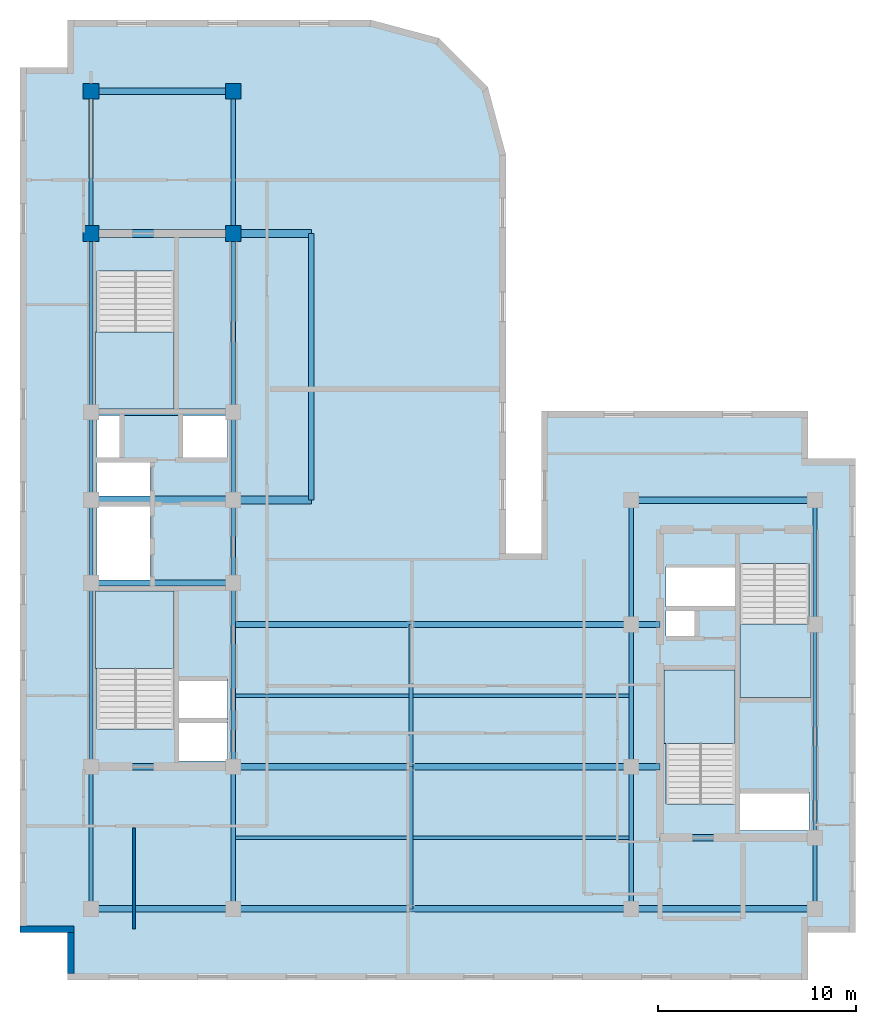
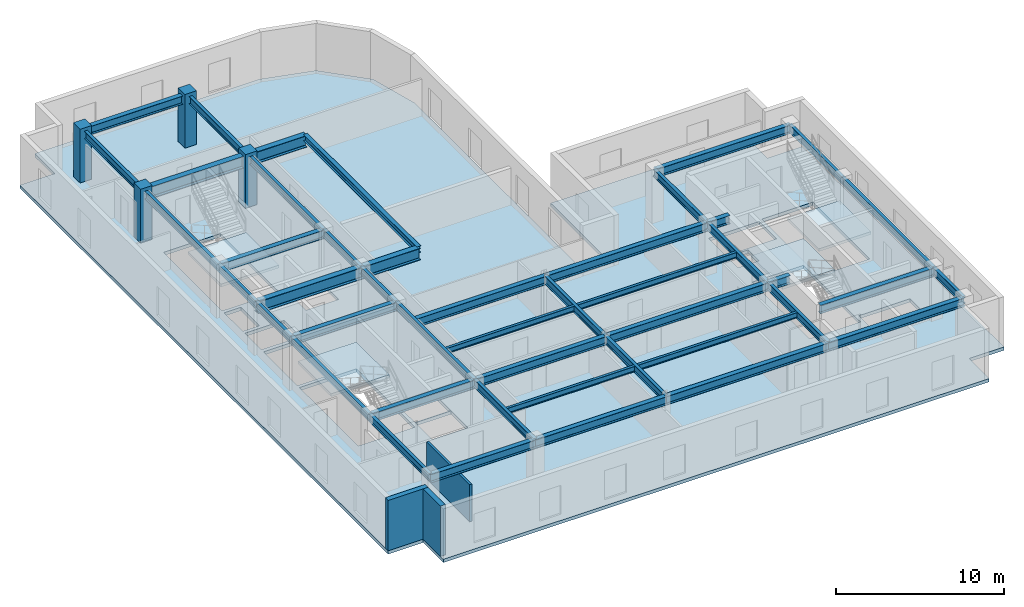
# One storey, part 2 of 9: 43 beams, 5 slabs, 4 columns, 3 walls, 4 elements without a shape of their own.
"""IFC4 building model written with IfcOpenShell, lengths in metres."""

from ifc_helpers import new_model, entity, si_unit, converted_unit, direction, frame, origin_with_axes, origin_2d_with_axis, place, context, subcontext, project, spatial, polyline, rectangle, i_section, outline, extrude, material, layer, layer_set, material_profile, profile_set, type_object, element, aggregate, save


model = new_model("IFC4")

# Units and contexts
model_context = context("Model", 3, precision=1e-05, world=origin_with_axes(), true_north=direction((0.0, 1.0)))
body_context = subcontext(model_context, "Body", "Model", "MODEL_VIEW")
ifc_project = project(units=[si_unit("LENGTHUNIT", "METRE"), si_unit("AREAUNIT", "SQUARE_METRE"), si_unit("VOLUMEUNIT", "CUBIC_METRE"), converted_unit("PLANEANGLEUNIT", "DEGREE", entity("IfcPlaneAngleMeasure", 0.017453292519943295), si_unit("PLANEANGLEUNIT", "RADIAN"), dimensions=[0, 0, 0, 0, 0, 0, 0]), si_unit("MASSUNIT", "GRAM", prefix="KILO"), si_unit("THERMODYNAMICTEMPERATUREUNIT", "KELVIN")], contexts=[model_context])

# Site, building, storey
site_placement = place(None, origin_with_axes())
site = spatial("IfcSite", under=ifc_project, at=site_placement, CompositionType="ELEMENT")
building_placement = place(site_placement, origin_with_axes())
building = spatial("IfcBuilding", under=site, at=building_placement, Name="Varnlund Millrace Tower", CompositionType="ELEMENT")
storey_placement = place(building_placement, frame((0.0, 0.0, 260.7), z_axis=(0.0, 0.0, 1.0), x_axis=(1.0, 0.0, 0.0)))
storey = spatial("IfcBuildingStorey", under=building, at=storey_placement, Name="L64", CompositionType="ELEMENT", Elevation=260.7)

# Columns
ifc_material_1 = material(Name="Concrete C60/75", Category="concrete")
ifc_material_profile_1 = material_profile(ifc_material_1, rectangle(XDim=0.8, YDim=0.8, at=origin_2d_with_axis()), Name="Concrete C60/75")
ifc_profile_set_1 = profile_set([ifc_material_profile_1], Name="Concrete C60/75")
column_type = type_object("IfcColumnType", Name="Type-Col-RC800-C60", PredefinedType="COLUMN", material=ifc_profile_set_1)
for number, where, z_axis, x_axis, name in (
    (1, (11.4, 37.8, 0.0), (0.0, 0.0, 1.0), (1.0, 0.0, 0.0), "Type-Col-RC800-C60"),
    (2, (11.4, 45.0, 0.0), (0.0, 0.0, 1.0), (1.0, 0.0, 0.0), "Type-Col-RC800-C60"),
    (3, (18.6, 37.8, 0.0), (0.0, 0.0, 1.0), (1.0, 0.0, 0.0), "Type-Col-RC800-C60"),
    (4, (18.6, 45.0, 0.0), (0.0, 0.0, 1.0), (1.0, 0.0, 0.0), "Type-Col-RC800-C60"),
):
    element("IfcColumn", number, at=place(storey_placement, frame(where, z_axis=z_axis, x_axis=x_axis)), inside=storey, type_object=column_type, Name=name, PredefinedType="COLUMN", context=body_context, shape_type="SweptSolid", body=[
        extrude(rectangle(XDim=0.8, YDim=0.8, at=origin_2d_with_axis()), origin_with_axes(), (0.0, 0.0, 1.0), 3.9),
    ])

# Beams
ifc_material_2 = material(Name="Steel ASTM A992 Grade 50", Category="steel")
ifc_material_profile_2 = material_profile(ifc_material_2, i_section(OverallWidth=0.28, OverallDepth=0.463, WebThickness=0.0108, FlangeThickness=0.0173, FilletRadius=0.015, at=origin_2d_with_axis()), Name="Steel ASTM A992 Grade 50")
ifc_profile_set_2 = profile_set([ifc_material_profile_2], Name="Steel ASTM A992 Grade 50")
beam_type_1 = type_object("IfcBeamType", Name="Type-Beam-W18X76", PredefinedType="BEAM", material=ifc_profile_set_2)
beam_1_placement = place(storey_placement, frame((22.55, 24.3, 3.4285), z_axis=(0.0, 1.0, 0.0), x_axis=(-1.0, 0.0, 0.0)))
element("IfcBeam", 5, at=beam_1_placement, inside=storey, type_object=beam_type_1, Name="Type-Beam-W18X76", PredefinedType="BEAM", context=body_context, shape_type="SweptSolid", body=[
    extrude(i_section(OverallWidth=0.28, OverallDepth=0.463, WebThickness=0.0108, FlangeThickness=0.0173, FilletRadius=0.015, at=origin_2d_with_axis()), origin_with_axes(), (0.0, 0.0, 1.0), 13.5),
])
ifc_material_profile_3 = material_profile(ifc_material_2, i_section(OverallWidth=0.214, OverallDepth=0.549, WebThickness=0.0147, FlangeThickness=0.0236, FilletRadius=0.015, at=origin_2d_with_axis()), Name="Steel ASTM A992 Grade 50")
ifc_profile_set_3 = profile_set([ifc_material_profile_3], Name="Steel ASTM A992 Grade 50")
beam_type_2 = type_object("IfcBeamType", Name="Type-Beam-W21X93", PredefinedType="BEAM", material=ifc_profile_set_3)
beam_2_placement = place(storey_placement, frame((11.4, 3.6, 3.3855), z_axis=(0.0, 1.0, 0.0), x_axis=(-1.0, 0.0, 0.0)))
element("IfcBeam", 6, at=beam_2_placement, inside=storey, type_object=beam_type_2, Name="Type-Beam-W21X93", PredefinedType="BEAM", context=body_context, shape_type="SweptSolid", body=[
    extrude(i_section(OverallWidth=0.214, OverallDepth=0.549, WebThickness=0.0147, FlangeThickness=0.0236, FilletRadius=0.015, at=origin_2d_with_axis()), origin_with_axes(), (0.0, 0.0, 1.0), 7.2),
])
beam_3_placement = place(storey_placement, frame((11.4, 10.8, 3.3855), z_axis=(0.0, 1.0, 0.0), x_axis=(-1.0, 0.0, 0.0)))
element("IfcBeam", 7, at=beam_3_placement, inside=storey, type_object=beam_type_2, Name="Type-Beam-W21X93", PredefinedType="BEAM", context=body_context, shape_type="SweptSolid", body=[
    extrude(i_section(OverallWidth=0.214, OverallDepth=0.549, WebThickness=0.0147, FlangeThickness=0.0236, FilletRadius=0.015, at=origin_2d_with_axis()), origin_with_axes(), (0.0, 0.0, 1.0), 9.3),
])
beam_4_placement = place(storey_placement, frame((11.4, 20.1, 3.3855), z_axis=(0.0, 1.0, 0.0), x_axis=(-1.0, 0.0, 0.0)))
element("IfcBeam", 8, at=beam_4_placement, inside=storey, type_object=beam_type_2, Name="Type-Beam-W21X93", PredefinedType="BEAM", context=body_context, shape_type="SweptSolid", body=[
    extrude(i_section(OverallWidth=0.214, OverallDepth=0.549, WebThickness=0.0147, FlangeThickness=0.0236, FilletRadius=0.015, at=origin_2d_with_axis()), origin_with_axes(), (0.0, 0.0, 1.0), 4.2),
])
beam_5_placement = place(storey_placement, frame((11.4, 24.3, 3.3855), z_axis=(0.0, 1.0, 0.0), x_axis=(-1.0, 0.0, 0.0)))
element("IfcBeam", 9, at=beam_5_placement, inside=storey, type_object=beam_type_2, Name="Type-Beam-W21X93", PredefinedType="BEAM", context=body_context, shape_type="SweptSolid", body=[
    extrude(i_section(OverallWidth=0.214, OverallDepth=0.549, WebThickness=0.0147, FlangeThickness=0.0236, FilletRadius=0.015, at=origin_2d_with_axis()), origin_with_axes(), (0.0, 0.0, 1.0), 4.45),
])
beam_6_placement = place(storey_placement, frame((11.4, 28.75, 3.3855), z_axis=(0.0, 1.0, 0.0), x_axis=(-1.0, 0.0, 0.0)))
element("IfcBeam", 10, at=beam_6_placement, inside=storey, type_object=beam_type_2, Name="Type-Beam-W21X93", PredefinedType="BEAM", context=body_context, shape_type="SweptSolid", body=[
    extrude(i_section(OverallWidth=0.214, OverallDepth=0.549, WebThickness=0.0147, FlangeThickness=0.0236, FilletRadius=0.015, at=origin_2d_with_axis()), origin_with_axes(), (0.0, 0.0, 1.0), 9.05),
])
for number, where, z_axis, x_axis, name in (
    (11, (11.4, 37.8, 3.3855), (0.0, 1.0, 0.0), (-1.0, 0.0, 0.0), "Type-Beam-W21X93"),
    (12, (18.6, 3.6, 3.3855), (0.0, 1.0, 0.0), (-1.0, 0.0, 0.0), "Type-Beam-W21X93"),
):
    element("IfcBeam", number, at=place(storey_placement, frame(where, z_axis=z_axis, x_axis=x_axis)), inside=storey, type_object=beam_type_2, Name=name, PredefinedType="BEAM", context=body_context, shape_type="SweptSolid", body=[
        extrude(i_section(OverallWidth=0.214, OverallDepth=0.549, WebThickness=0.0147, FlangeThickness=0.0236, FilletRadius=0.015, at=origin_2d_with_axis()), origin_with_axes(), (0.0, 0.0, 1.0), 7.2),
    ])
beam_7_placement = place(storey_placement, frame((18.6, 10.8, 3.3855), z_axis=(0.0, 1.0, 0.0), x_axis=(-1.0, 0.0, 0.0)))
element("IfcBeam", 13, at=beam_7_placement, inside=storey, type_object=beam_type_2, Name="Type-Beam-W21X93", PredefinedType="BEAM", context=body_context, shape_type="SweptSolid", body=[
    extrude(i_section(OverallWidth=0.214, OverallDepth=0.549, WebThickness=0.0147, FlangeThickness=0.0236, FilletRadius=0.015, at=origin_2d_with_axis()), origin_with_axes(), (0.0, 0.0, 1.0), 9.3),
])
beam_8_placement = place(storey_placement, frame((18.6, 20.1, 3.3855), z_axis=(0.0, 1.0, 0.0), x_axis=(-1.0, 0.0, 0.0)))
element("IfcBeam", 14, at=beam_8_placement, inside=storey, type_object=beam_type_2, Name="Type-Beam-W21X93", PredefinedType="BEAM", context=body_context, shape_type="SweptSolid", body=[
    extrude(i_section(OverallWidth=0.214, OverallDepth=0.549, WebThickness=0.0147, FlangeThickness=0.0236, FilletRadius=0.015, at=origin_2d_with_axis()), origin_with_axes(), (0.0, 0.0, 1.0), 4.2),
])
beam_9_placement = place(storey_placement, frame((18.6, 24.3, 3.3855), z_axis=(0.0, 1.0, 0.0), x_axis=(-1.0, 0.0, 0.0)))
element("IfcBeam", 15, at=beam_9_placement, inside=storey, type_object=beam_type_2, Name="Type-Beam-W21X93", PredefinedType="BEAM", context=body_context, shape_type="SweptSolid", body=[
    extrude(i_section(OverallWidth=0.214, OverallDepth=0.549, WebThickness=0.0147, FlangeThickness=0.0236, FilletRadius=0.015, at=origin_2d_with_axis()), origin_with_axes(), (0.0, 0.0, 1.0), 4.45),
])
beam_10_placement = place(storey_placement, frame((18.6, 28.75, 3.3855), z_axis=(0.0, 1.0, 0.0), x_axis=(-1.0, 0.0, 0.0)))
element("IfcBeam", 16, at=beam_10_placement, inside=storey, type_object=beam_type_2, Name="Type-Beam-W21X93", PredefinedType="BEAM", context=body_context, shape_type="SweptSolid", body=[
    extrude(i_section(OverallWidth=0.214, OverallDepth=0.549, WebThickness=0.0147, FlangeThickness=0.0236, FilletRadius=0.015, at=origin_2d_with_axis()), origin_with_axes(), (0.0, 0.0, 1.0), 9.05),
])
for number, where, z_axis, x_axis, name in (
    (17, (18.6, 37.8, 3.3855), (0.0, 1.0, 0.0), (-1.0, 0.0, 0.0), "Type-Beam-W21X93"),
    (18, (27.6, 3.6, 3.3855), (0.0, 1.0, 0.0), (-1.0, 0.0, 0.0), "Type-Beam-W21X93"),
    (19, (27.6, 10.8, 3.3855), (0.0, 1.0, 0.0), (-1.0, 0.0, 0.0), "Type-Beam-W21X93"),
    (20, (38.75, 3.6, 3.3855), (0.0, 1.0, 0.0), (-1.0, 0.0, 0.0), "Type-Beam-W21X93"),
    (21, (38.75, 10.8, 3.3855), (0.0, 1.0, 0.0), (-1.0, 0.0, 0.0), "Type-Beam-W21X93"),
):
    element("IfcBeam", number, at=place(storey_placement, frame(where, z_axis=z_axis, x_axis=x_axis)), inside=storey, type_object=beam_type_2, Name=name, PredefinedType="BEAM", context=body_context, shape_type="SweptSolid", body=[
        extrude(i_section(OverallWidth=0.214, OverallDepth=0.549, WebThickness=0.0147, FlangeThickness=0.0236, FilletRadius=0.015, at=origin_2d_with_axis()), origin_with_axes(), (0.0, 0.0, 1.0), 7.2),
    ])
beam_11_placement = place(storey_placement, frame((38.75, 18.0, 3.3855), z_axis=(0.0, 1.0, 0.0), x_axis=(-1.0, 0.0, 0.0)))
element("IfcBeam", 22, at=beam_11_placement, inside=storey, type_object=beam_type_2, Name="Type-Beam-W21X93", PredefinedType="BEAM", context=body_context, shape_type="SweptSolid", body=[
    extrude(i_section(OverallWidth=0.214, OverallDepth=0.549, WebThickness=0.0147, FlangeThickness=0.0236, FilletRadius=0.015, at=origin_2d_with_axis()), origin_with_axes(), (0.0, 0.0, 1.0), 6.3),
])
beam_12_placement = place(storey_placement, frame((48.05, 3.6, 3.3855), z_axis=(0.0, 1.0, 0.0), x_axis=(-1.0, 0.0, 0.0)))
element("IfcBeam", 23, at=beam_12_placement, inside=storey, type_object=beam_type_2, Name="Type-Beam-W21X93", PredefinedType="BEAM", context=body_context, shape_type="SweptSolid", body=[
    extrude(i_section(OverallWidth=0.214, OverallDepth=0.549, WebThickness=0.0147, FlangeThickness=0.0236, FilletRadius=0.015, at=origin_2d_with_axis()), origin_with_axes(), (0.0, 0.0, 1.0), 3.6),
])
beam_13_placement = place(storey_placement, frame((48.05, 7.2, 3.3855), z_axis=(0.0, 1.0, 0.0), x_axis=(-1.0, 0.0, 0.0)))
element("IfcBeam", 24, at=beam_13_placement, inside=storey, type_object=beam_type_2, Name="Type-Beam-W21X93", PredefinedType="BEAM", context=body_context, shape_type="SweptSolid", body=[
    extrude(i_section(OverallWidth=0.214, OverallDepth=0.549, WebThickness=0.0147, FlangeThickness=0.0236, FilletRadius=0.015, at=origin_2d_with_axis()), origin_with_axes(), (0.0, 0.0, 1.0), 10.8),
])
beam_14_placement = place(storey_placement, frame((48.05, 18.0, 3.3855), z_axis=(0.0, 1.0, 0.0), x_axis=(-1.0, 0.0, 0.0)))
element("IfcBeam", 25, at=beam_14_placement, inside=storey, type_object=beam_type_2, Name="Type-Beam-W21X93", PredefinedType="BEAM", context=body_context, shape_type="SweptSolid", body=[
    extrude(i_section(OverallWidth=0.214, OverallDepth=0.549, WebThickness=0.0147, FlangeThickness=0.0236, FilletRadius=0.015, at=origin_2d_with_axis()), origin_with_axes(), (0.0, 0.0, 1.0), 6.3),
])
ifc_material_profile_4 = material_profile(ifc_material_2, i_section(OverallWidth=0.324, OverallDepth=0.611, WebThickness=0.0127, FlangeThickness=0.0191, FilletRadius=0.016, at=origin_2d_with_axis()), Name="Steel ASTM A992 Grade 50")
ifc_profile_set_4 = profile_set([ifc_material_profile_4], Name="Steel ASTM A992 Grade 50")
beam_type_3 = type_object("IfcBeamType", Name="Type-Girder-W24X104", PredefinedType="USERDEFINED", material=ifc_profile_set_4)
beam_15_placement = place(storey_placement, frame((11.4, 3.6, 3.3545), z_axis=(1.0, 0.0, 0.0), x_axis=(0.0, 1.0, 0.0)))
element("IfcBeam", 26, at=beam_15_placement, inside=storey, type_object=beam_type_3, Name="Type-Girder-W24X104", ObjectType="GIRDER", PredefinedType="USERDEFINED", context=body_context, shape_type="SweptSolid", body=[
    extrude(i_section(OverallWidth=0.324, OverallDepth=0.611, WebThickness=0.0127, FlangeThickness=0.0191, FilletRadius=0.016, at=origin_2d_with_axis()), origin_with_axes(), (0.0, 0.0, 1.0), 7.2),
])
beam_16_placement = place(storey_placement, frame((18.6, 3.6, 3.3545), z_axis=(1.0, 0.0, 0.0), x_axis=(0.0, 1.0, 0.0)))
element("IfcBeam", 27, at=beam_16_placement, inside=storey, type_object=beam_type_3, Name="Type-Girder-W24X104", ObjectType="GIRDER", PredefinedType="USERDEFINED", context=body_context, shape_type="SweptSolid", body=[
    extrude(i_section(OverallWidth=0.324, OverallDepth=0.611, WebThickness=0.0127, FlangeThickness=0.0191, FilletRadius=0.016, at=origin_2d_with_axis()), origin_with_axes(), (0.0, 0.0, 1.0), 9.0),
])
beam_17_placement = place(storey_placement, frame((27.6, 3.6, 3.3545), z_axis=(1.0, 0.0, 0.0), x_axis=(0.0, 1.0, 0.0)))
element("IfcBeam", 28, at=beam_17_placement, inside=storey, type_object=beam_type_3, Name="Type-Girder-W24X104", ObjectType="GIRDER", PredefinedType="USERDEFINED", context=body_context, shape_type="SweptSolid", body=[
    extrude(i_section(OverallWidth=0.324, OverallDepth=0.611, WebThickness=0.0127, FlangeThickness=0.0191, FilletRadius=0.016, at=origin_2d_with_axis()), origin_with_axes(), (0.0, 0.0, 1.0), 11.15),
])
beam_18_placement = place(storey_placement, frame((38.75, 3.6, 3.3545), z_axis=(1.0, 0.0, 0.0), x_axis=(0.0, 1.0, 0.0)))
element("IfcBeam", 29, at=beam_18_placement, inside=storey, type_object=beam_type_3, Name="Type-Girder-W24X104", ObjectType="GIRDER", PredefinedType="USERDEFINED", context=body_context, shape_type="SweptSolid", body=[
    extrude(i_section(OverallWidth=0.324, OverallDepth=0.611, WebThickness=0.0127, FlangeThickness=0.0191, FilletRadius=0.016, at=origin_2d_with_axis()), origin_with_axes(), (0.0, 0.0, 1.0), 9.3),
])
beam_19_placement = place(storey_placement, frame((40.2, 7.2, 3.3545), z_axis=(1.0, 0.0, 0.0), x_axis=(0.0, 1.0, 0.0)))
element("IfcBeam", 30, at=beam_19_placement, inside=storey, type_object=beam_type_3, Name="Type-Girder-W24X104", ObjectType="GIRDER", PredefinedType="USERDEFINED", context=body_context, shape_type="SweptSolid", body=[
    extrude(i_section(OverallWidth=0.324, OverallDepth=0.611, WebThickness=0.0127, FlangeThickness=0.0191, FilletRadius=0.016, at=origin_2d_with_axis()), origin_with_axes(), (0.0, 0.0, 1.0), 7.85),
])
beam_20_placement = place(storey_placement, frame((11.4, 10.8, 3.3545), z_axis=(1.0, 0.0, 0.0), x_axis=(0.0, 1.0, 0.0)))
element("IfcBeam", 31, at=beam_20_placement, inside=storey, type_object=beam_type_3, Name="Type-Girder-W24X104", ObjectType="GIRDER", PredefinedType="USERDEFINED", context=body_context, shape_type="SweptSolid", body=[
    extrude(i_section(OverallWidth=0.324, OverallDepth=0.611, WebThickness=0.0127, FlangeThickness=0.0191, FilletRadius=0.016, at=origin_2d_with_axis()), origin_with_axes(), (0.0, 0.0, 1.0), 7.2),
])
beam_21_placement = place(storey_placement, frame((18.6, 10.8, 3.3545), z_axis=(1.0, 0.0, 0.0), x_axis=(0.0, 1.0, 0.0)))
element("IfcBeam", 32, at=beam_21_placement, inside=storey, type_object=beam_type_3, Name="Type-Girder-W24X104", ObjectType="GIRDER", PredefinedType="USERDEFINED", context=body_context, shape_type="SweptSolid", body=[
    extrude(i_section(OverallWidth=0.324, OverallDepth=0.611, WebThickness=0.0127, FlangeThickness=0.0191, FilletRadius=0.016, at=origin_2d_with_axis()), origin_with_axes(), (0.0, 0.0, 1.0), 9.0),
])
beam_22_placement = place(storey_placement, frame((27.6, 10.8, 3.3545), z_axis=(1.0, 0.0, 0.0), x_axis=(0.0, 1.0, 0.0)))
element("IfcBeam", 33, at=beam_22_placement, inside=storey, type_object=beam_type_3, Name="Type-Girder-W24X104", ObjectType="GIRDER", PredefinedType="USERDEFINED", context=body_context, shape_type="SweptSolid", body=[
    extrude(i_section(OverallWidth=0.324, OverallDepth=0.611, WebThickness=0.0127, FlangeThickness=0.0191, FilletRadius=0.016, at=origin_2d_with_axis()), origin_with_axes(), (0.0, 0.0, 1.0), 11.15),
])
beam_23_placement = place(storey_placement, frame((38.75, 10.8, 3.3545), z_axis=(1.0, 0.0, 0.0), x_axis=(0.0, 1.0, 0.0)))
element("IfcBeam", 34, at=beam_23_placement, inside=storey, type_object=beam_type_3, Name="Type-Girder-W24X104", ObjectType="GIRDER", PredefinedType="USERDEFINED", context=body_context, shape_type="SweptSolid", body=[
    extrude(i_section(OverallWidth=0.324, OverallDepth=0.611, WebThickness=0.0127, FlangeThickness=0.0191, FilletRadius=0.016, at=origin_2d_with_axis()), origin_with_axes(), (0.0, 0.0, 1.0), 1.45),
])
beam_24_placement = place(storey_placement, frame((18.6, 18.0, 3.3545), z_axis=(1.0, 0.0, 0.0), x_axis=(0.0, 1.0, 0.0)))
element("IfcBeam", 35, at=beam_24_placement, inside=storey, type_object=beam_type_3, Name="Type-Girder-W24X104", ObjectType="GIRDER", PredefinedType="USERDEFINED", context=body_context, shape_type="SweptSolid", body=[
    extrude(i_section(OverallWidth=0.324, OverallDepth=0.611, WebThickness=0.0127, FlangeThickness=0.0191, FilletRadius=0.016, at=origin_2d_with_axis()), origin_with_axes(), (0.0, 0.0, 1.0), 9.0),
])
beam_25_placement = place(storey_placement, frame((27.6, 18.0, 3.3545), z_axis=(1.0, 0.0, 0.0), x_axis=(0.0, 1.0, 0.0)))
element("IfcBeam", 36, at=beam_25_placement, inside=storey, type_object=beam_type_3, Name="Type-Girder-W24X104", ObjectType="GIRDER", PredefinedType="USERDEFINED", context=body_context, shape_type="SweptSolid", body=[
    extrude(i_section(OverallWidth=0.324, OverallDepth=0.611, WebThickness=0.0127, FlangeThickness=0.0191, FilletRadius=0.016, at=origin_2d_with_axis()), origin_with_axes(), (0.0, 0.0, 1.0), 11.15),
])
beam_26_placement = place(storey_placement, frame((38.75, 18.0, 3.3545), z_axis=(1.0, 0.0, 0.0), x_axis=(0.0, 1.0, 0.0)))
element("IfcBeam", 37, at=beam_26_placement, inside=storey, type_object=beam_type_3, Name="Type-Girder-W24X104", ObjectType="GIRDER", PredefinedType="USERDEFINED", context=body_context, shape_type="SweptSolid", body=[
    extrude(i_section(OverallWidth=0.324, OverallDepth=0.611, WebThickness=0.0127, FlangeThickness=0.0191, FilletRadius=0.016, at=origin_2d_with_axis()), origin_with_axes(), (0.0, 0.0, 1.0), 1.45),
])
beam_27_placement = place(storey_placement, frame((11.4, 20.1, 3.3545), z_axis=(1.0, 0.0, 0.0), x_axis=(0.0, 1.0, 0.0)))
element("IfcBeam", 38, at=beam_27_placement, inside=storey, type_object=beam_type_3, Name="Type-Girder-W24X104", ObjectType="GIRDER", PredefinedType="USERDEFINED", context=body_context, shape_type="SweptSolid", body=[
    extrude(i_section(OverallWidth=0.324, OverallDepth=0.611, WebThickness=0.0127, FlangeThickness=0.0191, FilletRadius=0.016, at=origin_2d_with_axis()), origin_with_axes(), (0.0, 0.0, 1.0), 7.2),
])
beam_28_placement = place(storey_placement, frame((38.75, 24.3, 3.3545), z_axis=(1.0, 0.0, 0.0), x_axis=(0.0, 1.0, 0.0)))
element("IfcBeam", 39, at=beam_28_placement, inside=storey, type_object=beam_type_3, Name="Type-Girder-W24X104", ObjectType="GIRDER", PredefinedType="USERDEFINED", context=body_context, shape_type="SweptSolid", body=[
    extrude(i_section(OverallWidth=0.324, OverallDepth=0.611, WebThickness=0.0127, FlangeThickness=0.0191, FilletRadius=0.016, at=origin_2d_with_axis()), origin_with_axes(), (0.0, 0.0, 1.0), 9.3),
])
for number, where, z_axis, x_axis, name in (
    (40, (11.4, 28.75, 3.3545), (1.0, 0.0, 0.0), (0.0, 1.0, 0.0), "Type-Girder-W24X104"),
    (41, (11.4, 45.0, 3.3545), (1.0, 0.0, 0.0), (0.0, 1.0, 0.0), "Type-Girder-W24X104"),
):
    element("IfcBeam", number, at=place(storey_placement, frame(where, z_axis=z_axis, x_axis=x_axis)), inside=storey, type_object=beam_type_3, Name=name, ObjectType="GIRDER", PredefinedType="USERDEFINED", context=body_context, shape_type="SweptSolid", body=[
        extrude(i_section(OverallWidth=0.324, OverallDepth=0.611, WebThickness=0.0127, FlangeThickness=0.0191, FilletRadius=0.016, at=origin_2d_with_axis()), origin_with_axes(), (0.0, 0.0, 1.0), 7.2),
    ])
ifc_material_profile_5 = material_profile(ifc_material_2, i_section(OverallWidth=0.399, OverallDepth=0.855, WebThickness=0.0182, FlangeThickness=0.0292, FilletRadius=0.022, at=origin_2d_with_axis()), Name="Steel ASTM A992 Grade 50")
ifc_profile_set_5 = profile_set([ifc_material_profile_5], Name="Steel ASTM A992 Grade 50")
beam_type_4 = type_object("IfcBeamType", Name="Type-Girder-W33X201", PredefinedType="USERDEFINED", material=ifc_profile_set_5)
for number, where, z_axis, x_axis, name in (
    (42, (11.4, 24.3, 3.2325), (1.0, 0.0, 0.0), (0.0, 1.0, 0.0), "Type-Girder-W33X201"),
    (43, (11.4, 37.8, 3.2325), (1.0, 0.0, 0.0), (0.0, 1.0, 0.0), "Type-Girder-W33X201"),
):
    element("IfcBeam", number, at=place(storey_placement, frame(where, z_axis=z_axis, x_axis=x_axis)), inside=storey, type_object=beam_type_4, Name=name, ObjectType="GIRDER", PredefinedType="USERDEFINED", context=body_context, shape_type="SweptSolid", body=[
        extrude(i_section(OverallWidth=0.399, OverallDepth=0.855, WebThickness=0.0182, FlangeThickness=0.0292, FilletRadius=0.022, at=origin_2d_with_axis()), origin_with_axes(), (0.0, 0.0, 1.0), 11.15),
    ])
ifc_material_profile_6 = material_profile(ifc_material_2, i_section(OverallWidth=0.178, OverallDepth=0.403, WebThickness=0.0075, FlangeThickness=0.0109, FilletRadius=0.011, at=origin_2d_with_axis()), Name="Steel ASTM A992 Grade 50")
ifc_profile_set_6 = profile_set([ifc_material_profile_6], Name="Steel ASTM A992 Grade 50")
beam_type_5 = type_object("IfcBeamType", Name="Type-Joist-W16X36", PredefinedType="JOIST", material=ifc_profile_set_6)
for number, where, z_axis, x_axis, name in (
    (44, (18.707, 7.2, 3.4585), (1.0, 0.0, 0.0), (0.0, 1.0, 0.0), "Type-Joist-W16X36"),
    (45, (18.707, 14.4, 3.4585), (1.0, 0.0, 0.0), (0.0, 1.0, 0.0), "Type-Joist-W16X36"),
):
    element("IfcBeam", number, at=place(storey_placement, frame(where, z_axis=z_axis, x_axis=x_axis)), inside=storey, type_object=beam_type_5, Name=name, PredefinedType="JOIST", context=body_context, shape_type="SweptSolid", body=[
        extrude(i_section(OverallWidth=0.178, OverallDepth=0.403, WebThickness=0.0075, FlangeThickness=0.0109, FilletRadius=0.011, at=origin_2d_with_axis()), origin_with_axes(), (0.0, 0.0, 1.0), 8.786),
    ])
for number, where, z_axis, x_axis, name in (
    (46, (27.707, 7.2, 3.4585), (1.0, 0.0, 0.0), (0.0, 1.0, 0.0), "Type-Joist-W16X36"),
    (47, (27.707, 14.4, 3.4585), (1.0, 0.0, 0.0), (0.0, 1.0, 0.0), "Type-Joist-W16X36"),
):
    element("IfcBeam", number, at=place(storey_placement, frame(where, z_axis=z_axis, x_axis=x_axis)), inside=storey, type_object=beam_type_5, Name=name, PredefinedType="JOIST", context=body_context, shape_type="SweptSolid", body=[
        extrude(i_section(OverallWidth=0.178, OverallDepth=0.403, WebThickness=0.0075, FlangeThickness=0.0109, FilletRadius=0.011, at=origin_2d_with_axis()), origin_with_axes(), (0.0, 0.0, 1.0), 10.936),
    ])

# Slab
ifc_layer_1 = layer(ifc_material_1, 0.24, Name="Concrete C60/75")
ifc_layer_set_1 = layer_set([ifc_layer_1], Name="Concrete C60/75")
slab_type_1 = type_object("IfcSlabType", Name="Type-Deck-Plate-Typical-240", PredefinedType="FLOOR", material=ifc_layer_set_1)
slab_1_placement = place(storey_placement, frame((0.0, 0.0, -0.24), z_axis=(0.0, 0.0, 1.0), x_axis=(1.0, 0.0, 0.0)))
element("IfcSlab", 48, at=slab_1_placement, inside=storey, type_object=slab_type_1, Name="Type-Deck-Plate-Typical-240", PredefinedType="FLOOR", context=body_context, shape_type="SweptSolid", body=[
    extrude(outline(polyline([(32.4, 21.6), (32.4, 41.8), (31.489, 45.2), (29.0, 47.689), (25.6, 48.6), (10.2, 48.6), (10.2, 46.2), (7.8, 46.2), (7.8, 2.4), (10.2, 2.4), (10.2, 0.0), (47.7, 0.0), (47.7, 2.4), (50.1, 2.4), (50.1, 26.4), (47.7, 26.4), (47.7, 28.8), (34.2, 28.8), (34.2, 21.6), (32.4, 21.6)]), holes=[polyline([(18.3, 13.1), (18.3, 11.1), (15.84, 11.1), (15.84, 13.1), (18.3, 13.1)]), polyline([(15.6, 12.715), (11.7, 12.715), (11.7, 19.7), (15.6, 19.7), (15.6, 12.715)]), polyline([(11.7, 19.94), (11.7, 23.98), (14.38, 23.98), (14.38, 19.94), (11.7, 19.94)]), polyline([(14.38, 24.24), (11.7, 24.24), (11.7, 26.2), (14.38, 26.2), (14.38, 24.24)]), polyline([(12.84, 26.46), (11.7, 26.46), (11.7, 28.65), (12.84, 28.65), (12.84, 26.46)]), polyline([(15.6, 28.9), (11.7, 28.9), (11.7, 35.885), (15.6, 35.885), (15.6, 28.9)]), polyline([(47.75, 9.52), (47.75, 7.58), (44.25, 7.58), (44.25, 9.52), (47.75, 9.52)]), polyline([(44.0, 8.915), (40.5, 8.915), (40.5, 15.7), (44.0, 15.7), (44.0, 8.915)]), polyline([(18.3, 13.16), (15.84, 13.16), (15.84, 15.24), (18.3, 15.24), (18.3, 13.16)]), polyline([(47.75, 14.3), (44.25, 14.3), (44.25, 21.085), (47.75, 21.085), (47.75, 14.3)]), polyline([(41.95, 17.42), (40.5, 17.42), (40.5, 18.72), (41.95, 18.72), (41.95, 17.42)]), polyline([(44.0, 18.88), (40.5, 18.88), (40.5, 20.94), (44.0, 20.94), (44.0, 18.88)]), polyline([(18.3, 26.46), (16.04, 26.46), (16.04, 28.65), (18.3, 28.65), (18.3, 26.46)])]), origin_with_axes(), (0.0, 0.0, 1.0), 0.24),
])

# Stair, slab
ifc_material_3 = material(Name="Concrete C50/60", Category="concrete")
stair_type_1 = type_object("IfcStairType", Name="Type-Stair-Dogleg-185-390", PredefinedType="HALF_TURN_STAIR", material=ifc_material_3)
stair_1_placement = place(storey_placement, origin_with_axes())
stair_1 = element("IfcStair", 49, at=stair_1_placement, inside=storey, type_object=stair_type_1, Name="Type-Stair-Dogleg-185-390", PredefinedType="HALF_TURN_STAIR")
ifc_layer_2 = layer(ifc_material_3, 0.2, Name="Concrete C50/60")
ifc_layer_set_2 = layer_set([ifc_layer_2], Name="Concrete C50/60")
slab_type_2 = type_object("IfcSlabType", Name="Type-StairLanding-200", PredefinedType="LANDING", material=ifc_layer_set_2)
slab_2_placement = place(storey_placement, frame((0.0, 0.0, 1.75), z_axis=(0.0, 0.0, 1.0), x_axis=(1.0, 0.0, 0.0)))
slab_2 = element("IfcSlab", 50, at=slab_2_placement, type_object=slab_type_2, Name="ST-A1 landing 1", PredefinedType="LANDING", context=body_context, shape_type="SweptSolid", body=[
    extrude(outline(polyline([(15.6, 15.78), (15.6, 19.7), (11.61, 19.7), (11.61, 15.78), (15.6, 15.78)])), origin_with_axes(), (0.0, 0.0, 1.0), 0.2),
])
aggregate(stair_1, [slab_2])

stair_2_placement = place(storey_placement, origin_with_axes())
stair_2 = element("IfcStair", 51, at=stair_2_placement, inside=storey, type_object=stair_type_1, Name="Type-Stair-Dogleg-185-390", PredefinedType="HALF_TURN_STAIR")
slab_3_placement = place(storey_placement, frame((0.0, 0.0, 1.75), z_axis=(0.0, 0.0, 1.0), x_axis=(1.0, 0.0, 0.0)))
slab_3 = element("IfcSlab", 52, at=slab_3_placement, type_object=slab_type_2, Name="ST-A2 landing 1", PredefinedType="LANDING", context=body_context, shape_type="SweptSolid", body=[
    extrude(outline(polyline([(11.61, 32.82), (11.61, 28.9), (15.6, 28.9), (15.6, 32.82), (11.61, 32.82)])), origin_with_axes(), (0.0, 0.0, 1.0), 0.2),
])
aggregate(stair_2, [slab_3])

stair_type_2 = type_object("IfcStairType", Name="Type-Stair-Dogleg-165-390", PredefinedType="HALF_TURN_STAIR", material=ifc_material_3)
stair_3_placement = place(storey_placement, origin_with_axes())
stair_3 = element("IfcStair", 53, at=stair_3_placement, inside=storey, type_object=stair_type_2, Name="Type-Stair-Dogleg-165-390", PredefinedType="HALF_TURN_STAIR")
slab_4_placement = place(storey_placement, frame((0.0, 0.0, 1.75), z_axis=(0.0, 0.0, 1.0), x_axis=(1.0, 0.0, 0.0)))
slab_4 = element("IfcSlab", 54, at=slab_4_placement, type_object=slab_type_2, Name="ST-B1 landing 1", PredefinedType="LANDING", context=body_context, shape_type="SweptSolid", body=[
    extrude(outline(polyline([(44.0, 11.98), (44.0, 15.7), (40.41, 15.7), (40.41, 11.98), (44.0, 11.98)])), origin_with_axes(), (0.0, 0.0, 1.0), 0.2),
])
aggregate(stair_3, [slab_4])

stair_4_placement = place(storey_placement, origin_with_axes())
stair_4 = element("IfcStair", 55, at=stair_4_placement, inside=storey, type_object=stair_type_2, Name="Type-Stair-Dogleg-165-390", PredefinedType="HALF_TURN_STAIR")
slab_5_placement = place(storey_placement, frame((0.0, 0.0, 1.75), z_axis=(0.0, 0.0, 1.0), x_axis=(1.0, 0.0, 0.0)))
slab_5 = element("IfcSlab", 56, at=slab_5_placement, type_object=slab_type_2, Name="ST-B2 landing 1", PredefinedType="LANDING", context=body_context, shape_type="SweptSolid", body=[
    extrude(outline(polyline([(44.25, 18.02), (44.25, 14.3), (47.84, 14.3), (47.84, 18.02), (44.25, 18.02)])), origin_with_axes(), (0.0, 0.0, 1.0), 0.2),
])
aggregate(stair_4, [slab_5])

# Walls
ifc_material_4 = material(Name="Precast concrete C50/60", Category="concrete")
ifc_layer_3 = layer(ifc_material_4, 0.34, Name="Precast concrete C50/60")
ifc_layer_set_3 = layer_set([ifc_layer_3], Name="Precast concrete C50/60")
wall_type_1 = type_object("IfcWallType", Name="Type-ExtWall-Precast-Upper-340", PredefinedType="SOLIDWALL", material=ifc_layer_set_3)
wall_1_placement = place(storey_placement, frame((10.37, 0.34, 0.0), z_axis=(0.0, 0.0, 1.0), x_axis=(0.0, 1.0, 0.0)))
element("IfcWall", 57, at=wall_1_placement, inside=storey, type_object=wall_type_1, Name="Type-ExtWall-Precast-Upper-340", PredefinedType="SOLIDWALL", context=body_context, shape_type="SweptSolid", body=[
    extrude(outline(polyline([(0.0, -0.17), (2.06, -0.17), (2.06, 0.17), (0.0, 0.17), (0.0, -0.17)])), origin_with_axes(), (0.0, 0.0, 1.0), 3.66),
])
wall_2_placement = place(storey_placement, frame((10.54, 2.57, 0.0), z_axis=(0.0, 0.0, 1.0), x_axis=(-1.0, 0.0, 0.0)))
element("IfcWall", 58, at=wall_2_placement, inside=storey, type_object=wall_type_1, Name="Type-ExtWall-Precast-Upper-340", PredefinedType="SOLIDWALL", context=body_context, shape_type="SweptSolid", body=[
    extrude(outline(polyline([(0.0, -0.17), (2.74, -0.17), (2.74, 0.17), (0.0, 0.17), (0.0, -0.17)])), origin_with_axes(), (0.0, 0.0, 1.0), 3.66),
])
ifc_material_5 = material(Name="Acoustic STC-50 gypsum board partition", Category="gypsum")
ifc_layer_4 = layer(ifc_material_5, 0.15, Name="Acoustic STC-50 gypsum board partition")
ifc_layer_set_4 = layer_set([ifc_layer_4], Name="Acoustic STC-50 gypsum board partition")
wall_type_2 = type_object("IfcWallType", Name="Type-Partition-Demising-150", PredefinedType="PARTITIONING", material=ifc_layer_set_4)
wall_3_placement = place(storey_placement, frame((13.577, 2.58, 0.0), z_axis=(0.0, 0.0, 1.0), x_axis=(0.0, 1.0, 0.0)))
element("IfcWall", 59, at=wall_3_placement, inside=storey, type_object=wall_type_2, Name="Type-Partition-Demising-150", PredefinedType="PARTITIONING", context=body_context, shape_type="SweptSolid", body=[
    extrude(outline(polyline([(0.0, -0.075), (5.12, -0.075), (5.12, 0.075), (0.0, 0.075), (0.0, -0.075)])), origin_with_axes(), (0.0, 0.0, 1.0), 2.7),
])

save(model, "model.ifc")
